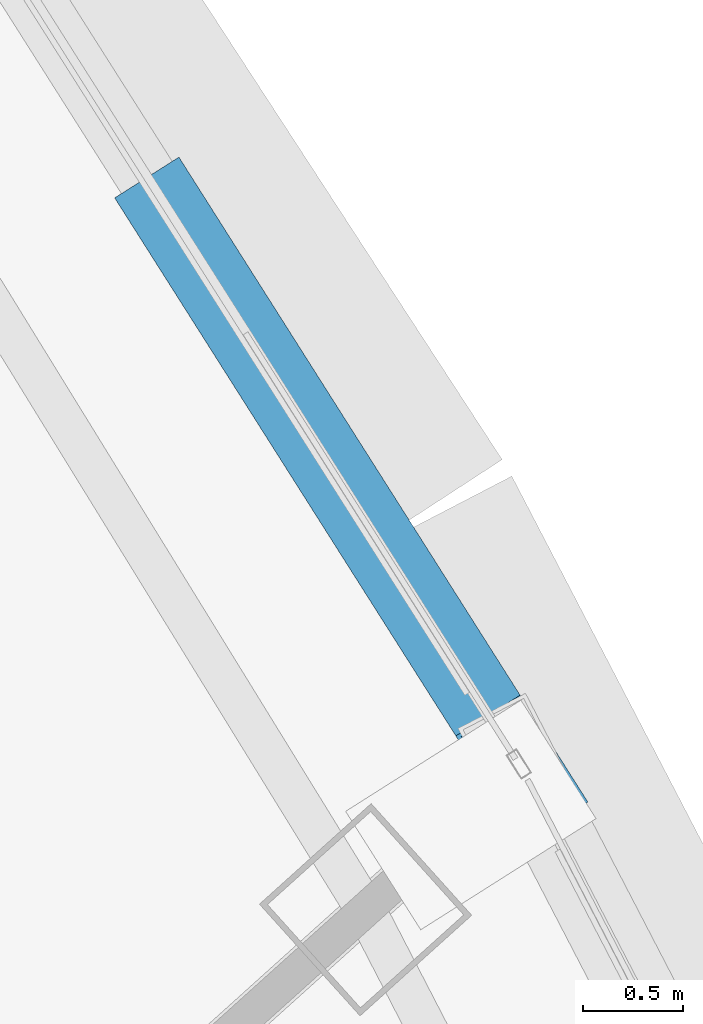
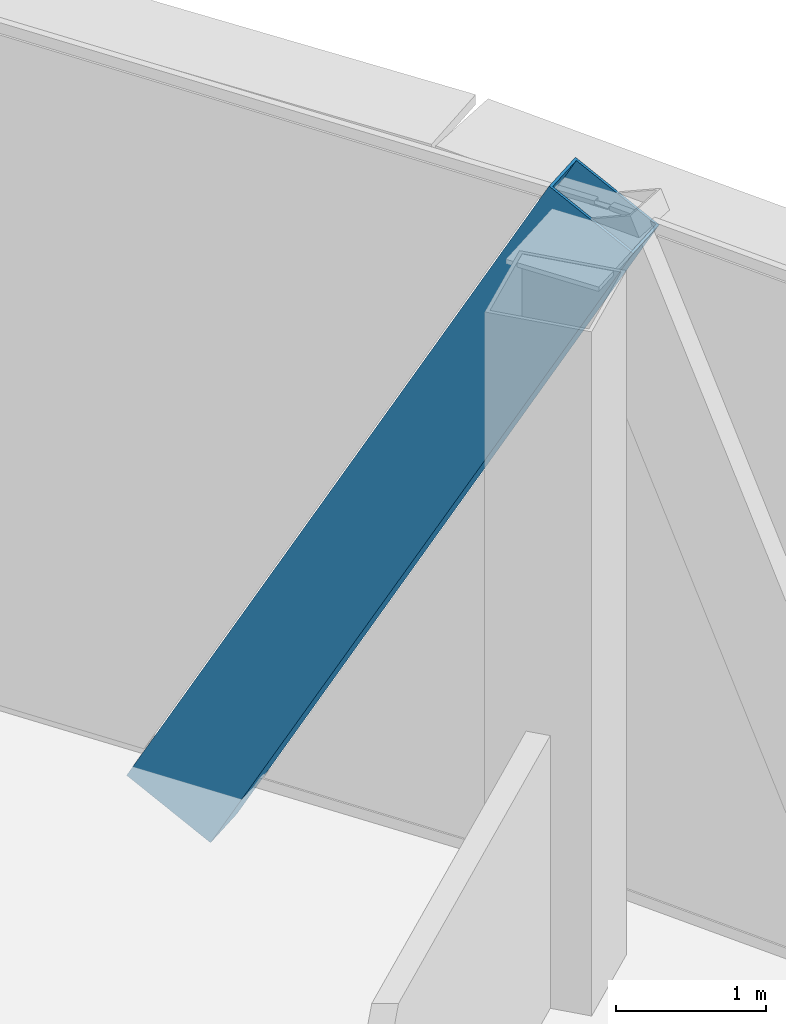
# One storey, part 25 of 33: 1 member.
"""IFC4 building model written with IfcOpenShell, lengths in metres."""

from ifc_helpers import new_model, si_unit, direction, frame, origin, origin_2d, place, context, subcontext, project, spatial, hollow_rectangle, extrude, source, transform, mapped, material, material_profile, profile_set, type_object, element, save


model = new_model("IFC4")

# Units and contexts
model_context = context("Model", 3, precision=1e-05, world=origin(), true_north=direction((0.0, 1.0)))
body_context = subcontext(model_context, "Body", "Model", "MODEL_VIEW")
ifc_project = project(units=[si_unit("LENGTHUNIT", "METRE"), si_unit("AREAUNIT", "SQUARE_METRE"), si_unit("VOLUMEUNIT", "CUBIC_METRE"), si_unit("PLANEANGLEUNIT", "RADIAN"), si_unit("MASSUNIT", "GRAM", prefix="KILO"), si_unit("THERMODYNAMICTEMPERATUREUNIT", "KELVIN"), si_unit("POWERUNIT", "WATT")], contexts=[model_context])

# Site, building, storey
site_placement = place(None, origin())
site = spatial("IfcSite", under=ifc_project, at=site_placement, CompositionType="ELEMENT")
building_placement = place(site_placement, origin())
building = spatial("IfcBuilding", under=site, at=building_placement, Name="Yunzhuo Pagoda Commons", CompositionType="ELEMENT")
storey_placement = place(building_placement, frame((0.0, 0.0, 314.860107421875)))
storey = spatial("IfcBuildingStorey", under=building, at=storey_placement, Name="L79", CompositionType="ELEMENT", Elevation=314.860107421875)

# Member
ifc_material = material(Name="Structural steel Q355B", Category="steel")
ifc_material_profile = material_profile(ifc_material, hollow_rectangle(XDim=0.3798828125, YDim=0.719970703125, WallThickness=0.02001953125, at=origin_2d()), Name="Structural steel Q355B")
ifc_profile_set = profile_set([ifc_material_profile], Name="Structural steel Q355B")
member_type = type_object("IfcMemberType", Name="M-DL3 Brace BOX 720x380x20", PredefinedType="BRACE", material=ifc_profile_set)
shared_shape = source(origin(), body_context, "Body", "SweptSolid", [
    extrude(hollow_rectangle(XDim=0.3798828125, YDim=0.719970703125, WallThickness=0.02001953125, at=origin_2d()), origin(), (0.0, 0.0, 1.0), 6.640869140625),
])
member_placement = place(storey_placement, frame((65.650390625, 53.8115234375, -0.260009765625), z_axis=(0.256465177613, -0.404403233049, 0.877885891088), x_axis=(0.844495028215, 0.535563392439, 0.0)))
element("IfcMember", 1, at=member_placement, inside=storey, type_object=member_type, Name="L79 facade diamond brace F2.3L", PredefinedType="BRACE", context=body_context, shape_type="MappedRepresentation", body=[
    mapped(shared_shape, transform((0.0, 0.0, 0.0), scale=1.0)),
])

save(model, "model.ifc")
